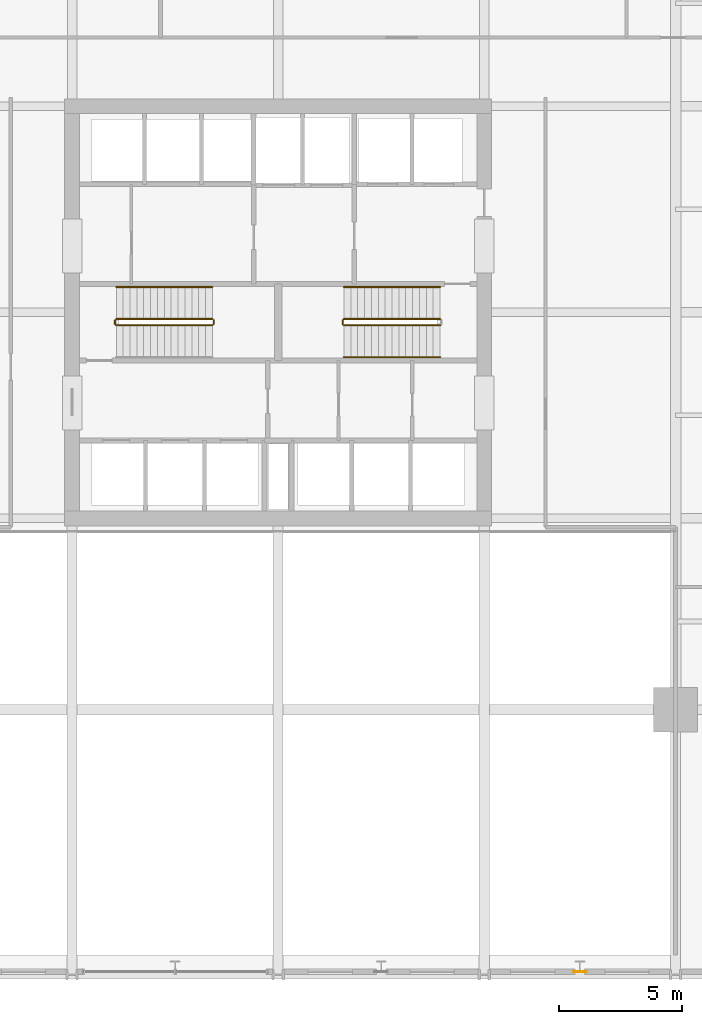
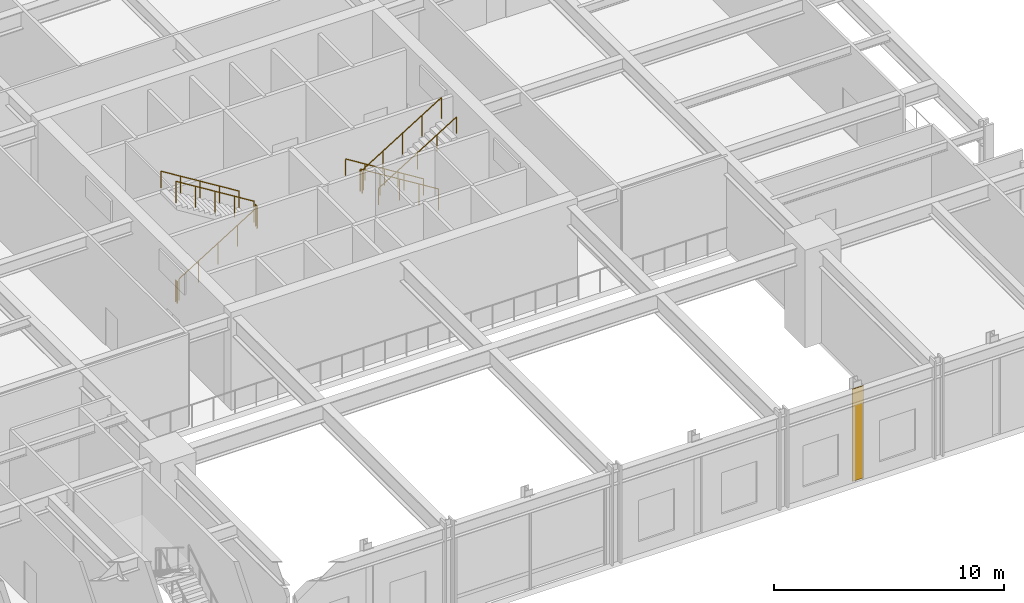
# One storey, part 16 of 19: 10 railings, 1 covering.
"""IFC4 building model written with IfcOpenShell, lengths in metres."""

from ifc_helpers import new_model, si_unit, direction, frame, origin, origin_2d, place, context, subcontext, project, spatial, rectangle, circle, extrude, material, layer, layer_set, type_object, element, save


model = new_model("IFC4")

# Units and contexts
model_context = context("Model", 3, precision=1e-05, world=origin(), true_north=direction((0.0, 1.0)))
body_context = subcontext(model_context, "Body", "Model", "MODEL_VIEW")
ifc_project = project(units=[si_unit("LENGTHUNIT", "METRE"), si_unit("AREAUNIT", "SQUARE_METRE"), si_unit("VOLUMEUNIT", "CUBIC_METRE"), si_unit("PLANEANGLEUNIT", "RADIAN"), si_unit("MASSUNIT", "GRAM", prefix="KILO")], contexts=[model_context])

# Site, building, storey
site_placement = place(None, origin())
site = spatial("IfcSite", under=ifc_project, at=site_placement, CompositionType="ELEMENT")
building_placement = place(site_placement, origin())
building = spatial("IfcBuilding", under=site, at=building_placement, Name="Drelvath Grand Hotel", CompositionType="ELEMENT")
storey_placement = place(building_placement, frame((0.0, 0.0, 17.199951171875)))
storey = spatial("IfcBuildingStorey", under=building, at=storey_placement, Name="L03", CompositionType="ELEMENT", Elevation=17.199951171875)

# Covering
ifc_material_1 = material(Name="Warm Bronze Anodised Aluminium Cladding", Category="aluminium")
ifc_layer = layer(ifc_material_1, 0.034912109375)
ifc_layer_set = layer_set([ifc_layer], Name="Warm Bronze Anodised Aluminium Cladding")
covering_type = type_object("IfcCoveringType", Name="Bronze Anodised Pier Cladding Panel 35", PredefinedType="CLADDING", material=ifc_layer_set)
covering_placement = place(storey_placement, frame((12.300048828125, 0.1201171875, 0.0), z_axis=(0.0, 0.0, 1.0), x_axis=(1.0, 0.0, 0.0)))
element("IfcCovering", 1, at=covering_placement, inside=storey, type_object=covering_type, Name="L03 Colonnade Bronze Pier Cladding S4", PredefinedType="CLADDING", context=body_context, shape_type="SweptSolid", body=[
    extrude(rectangle(XDim=0.550048828125, YDim=0.034912109375, at=origin_2d()), origin(), (0.0, 0.0, 1.0), 4.89990234375),
])

# Railings
ifc_material_2 = material(Name="Painted Steel S275", Category="steel")
railing_type_1 = type_object("IfcRailingType", Name="Core Stair Wall Handrail 900", PredefinedType="HANDRAIL", material=ifc_material_2)
railing_1_placement = place(storey_placement, frame((-2.679931640625, 28.030029296875, 2.7734375)))
element("IfcRailing", 2, at=railing_1_placement, inside=storey, type_object=railing_type_1, Name="L03 ST-1 stair handrail 2", PredefinedType="HANDRAIL", context=body_context, shape_type="SweptSolid", body=[
    extrude(circle(Radius=0.02392578125, at=origin_2d()), frame((0.0, 0.0, 0.8759765625), z_axis=(-0.850289973577, 0.0, 0.526314507528), x_axis=(0.0, -1.0, 0.0)), (0.0, 0.0, 1.0), 4.6103515625),
    extrude(circle(Radius=0.02099609375, at=origin_2d()), origin(), (0.0, 0.0, 1.0), 0.851806640625),
    extrude(circle(Radius=0.02099609375, at=origin_2d()), frame((-0.97998046875, 0.0, 0.606689453125)), (0.0, 0.0, 1.0), 0.851806640625),
    extrude(circle(Radius=0.02099609375, at=origin_2d()), frame((-1.9599609375, 0.0, 1.21337890625)), (0.0, 0.0, 1.0), 0.851806640625),
    extrude(circle(Radius=0.02099609375, at=origin_2d()), frame((-2.940185546875, 0.0, 1.81982421875)), (0.0, 0.0, 1.0), 0.851806640625),
    extrude(circle(Radius=0.02099609375, at=origin_2d()), frame((-3.920166015625, 0.0, 2.426513671875)), (0.0, 0.0, 1.0), 0.851806640625),
])
railing_2_placement = place(storey_placement, frame((6.60009765625, 28.030029296875, 0.17333984375)))
element("IfcRailing", 3, at=railing_2_placement, inside=storey, type_object=railing_type_1, Name="L03 ST-2 stair handrail 1", PredefinedType="HANDRAIL", context=body_context, shape_type="SweptSolid", body=[
    extrude(circle(Radius=0.02392578125, at=origin_2d()), frame((0.0, 0.0, 0.8759765625), z_axis=(-0.850266275192, 0.0, 0.526352791643), x_axis=(0.0, -1.0, 0.0)), (0.0, 0.0, 1.0), 4.610595703125),
    extrude(circle(Radius=0.02099609375, at=origin_2d()), origin(), (0.0, 0.0, 1.0), 0.851806640625),
    extrude(circle(Radius=0.02099609375, at=origin_2d()), frame((-0.97998046875, 0.0, 0.606689453125)), (0.0, 0.0, 1.0), 0.851806640625),
    extrude(circle(Radius=0.02099609375, at=origin_2d()), frame((-1.9599609375, 0.0, 1.21337890625)), (0.0, 0.0, 1.0), 0.851806640625),
    extrude(circle(Radius=0.02099609375, at=origin_2d()), frame((-2.940185546875, 0.0, 1.820068359375)), (0.0, 0.0, 1.0), 0.851806640625),
    extrude(circle(Radius=0.02099609375, at=origin_2d()), frame((-3.920166015625, 0.0, 2.4267578125)), (0.0, 0.0, 1.0), 0.851806640625),
])
railing_3_placement = place(storey_placement, frame((2.679931640625, 25.169921875, 2.7734375)))
element("IfcRailing", 4, at=railing_3_placement, inside=storey, type_object=railing_type_1, Name="L03 ST-2 stair handrail 2", PredefinedType="HANDRAIL", context=body_context, shape_type="SweptSolid", body=[
    extrude(circle(Radius=0.02392578125, at=origin_2d()), frame((0.0, 0.0, 0.8759765625), z_axis=(0.850289973577, 0.0, 0.526314507528), x_axis=(0.0, 1.0, 0.0)), (0.0, 0.0, 1.0), 4.6103515625),
    extrude(circle(Radius=0.02099609375, at=origin_2d()), origin(), (0.0, 0.0, 1.0), 0.851806640625),
    extrude(circle(Radius=0.02099609375, at=origin_2d()), frame((0.97998046875, 0.0, 0.606689453125)), (0.0, 0.0, 1.0), 0.851806640625),
    extrude(circle(Radius=0.02099609375, at=origin_2d()), frame((1.9599609375, 0.0, 1.21337890625)), (0.0, 0.0, 1.0), 0.851806640625),
    extrude(circle(Radius=0.02099609375, at=origin_2d()), frame((2.940185546875, 0.0, 1.81982421875)), (0.0, 0.0, 1.0), 0.851806640625),
    extrude(circle(Radius=0.02099609375, at=origin_2d()), frame((3.920166015625, 0.0, 2.426513671875)), (0.0, 0.0, 1.0), 0.851806640625),
])
railing_type_2 = type_object("IfcRailingType", Name="Core Stair Well Guardrail 1100", PredefinedType="GUARDRAIL", material=ifc_material_2)
railing_4_placement = place(storey_placement, frame((-6.60009765625, 26.469970703125, 0.17333984375)))
element("IfcRailing", 5, at=railing_4_placement, inside=storey, type_object=railing_type_2, Name="L03 ST-1 stair guard 1", PredefinedType="GUARDRAIL", context=body_context, shape_type="SweptSolid", body=[
    extrude(circle(Radius=0.02392578125, at=origin_2d()), frame((0.0, 0.0, 1.1259765625), z_axis=(0.850266275192, 0.0, 0.526352791643), x_axis=(0.0, 1.0, 0.0)), (0.0, 0.0, 1.0), 4.610595703125),
    extrude(circle(Radius=0.02099609375, at=origin_2d()), origin(), (0.0, 0.0, 1.0), 1.101806640625),
    extrude(circle(Radius=0.02099609375, at=origin_2d()), frame((0.97998046875, 0.0, 0.606689453125)), (0.0, 0.0, 1.0), 1.101806640625),
    extrude(circle(Radius=0.02099609375, at=origin_2d()), frame((1.9599609375, 0.0, 1.21337890625)), (0.0, 0.0, 1.0), 1.101806640625),
    extrude(circle(Radius=0.02099609375, at=origin_2d()), frame((2.940185546875, 0.0, 1.820068359375)), (0.0, 0.0, 1.0), 1.101806640625),
    extrude(circle(Radius=0.02099609375, at=origin_2d()), frame((3.920166015625, 0.0, 2.4267578125)), (0.0, 0.0, 1.0), 1.101806640625),
])
railing_5_placement = place(storey_placement, frame((-2.6298828125, 26.52001953125, 2.60009765625)))
element("IfcRailing", 6, at=railing_5_placement, inside=storey, type_object=railing_type_2, Name="L03 ST-1 stair guard 2", PredefinedType="GUARDRAIL", context=body_context, shape_type="SweptSolid", body=[
    extrude(circle(Radius=0.02392578125, at=origin_2d()), frame((0.0, 0.0, 1.1259765625), z_axis=(0.0, 1.0, 0.0), x_axis=(-1.0, 0.0, 0.0)), (0.0, 0.0, 1.0), 0.159912109375),
    extrude(circle(Radius=0.02099609375, at=origin_2d()), origin(), (0.0, 0.0, 1.0), 1.101806640625),
    extrude(circle(Radius=0.02099609375, at=origin_2d()), frame((0.0, 0.159912109375, 0.0)), (0.0, 0.0, 1.0), 1.101806640625),
])
railing_6_placement = place(storey_placement, frame((-2.679931640625, 26.72998046875, 2.7734375)))
element("IfcRailing", 7, at=railing_6_placement, inside=storey, type_object=railing_type_2, Name="L03 ST-1 stair guard 3", PredefinedType="GUARDRAIL", context=body_context, shape_type="SweptSolid", body=[
    extrude(circle(Radius=0.02392578125, at=origin_2d()), frame((0.0, 0.0, 1.1259765625), z_axis=(-0.850289973577, 0.0, 0.526314507528), x_axis=(0.0, -1.0, 0.0)), (0.0, 0.0, 1.0), 4.6103515625),
    extrude(circle(Radius=0.02099609375, at=origin_2d()), origin(), (0.0, 0.0, 1.0), 1.101806640625),
    extrude(circle(Radius=0.02099609375, at=origin_2d()), frame((-0.97998046875, 0.0, 0.606689453125)), (0.0, 0.0, 1.0), 1.101806640625),
    extrude(circle(Radius=0.02099609375, at=origin_2d()), frame((-1.9599609375, 0.0, 1.21337890625)), (0.0, 0.0, 1.0), 1.101806640625),
    extrude(circle(Radius=0.02099609375, at=origin_2d()), frame((-2.940185546875, 0.0, 1.81982421875)), (0.0, 0.0, 1.0), 1.101806640625),
    extrude(circle(Radius=0.02099609375, at=origin_2d()), frame((-3.920166015625, 0.0, 2.426513671875)), (0.0, 0.0, 1.0), 1.101806640625),
])
railing_7_placement = place(storey_placement, frame((-6.64990234375, 26.52001953125, 0.0)))
element("IfcRailing", 8, at=railing_7_placement, inside=storey, type_object=railing_type_2, Name="L03 ST-1 stair guard 4", PredefinedType="GUARDRAIL", context=body_context, shape_type="SweptSolid", body=[
    extrude(circle(Radius=0.02392578125, at=origin_2d()), frame((0.0, 0.0, 1.1259765625), z_axis=(0.0, 1.0, 0.0), x_axis=(-1.0, 0.0, 0.0)), (0.0, 0.0, 1.0), 0.159912109375),
    extrude(circle(Radius=0.02099609375, at=origin_2d()), origin(), (0.0, 0.0, 1.0), 1.101806640625),
    extrude(circle(Radius=0.02099609375, at=origin_2d()), frame((0.0, 0.159912109375, 0.0)), (0.0, 0.0, 1.0), 1.101806640625),
])
railing_8_placement = place(storey_placement, frame((6.60009765625, 26.72998046875, 0.17333984375)))
element("IfcRailing", 9, at=railing_8_placement, inside=storey, type_object=railing_type_2, Name="L03 ST-2 stair guard 1", PredefinedType="GUARDRAIL", context=body_context, shape_type="SweptSolid", body=[
    extrude(circle(Radius=0.02392578125, at=origin_2d()), frame((0.0, 0.0, 1.1259765625), z_axis=(-0.850266275192, 0.0, 0.526352791643), x_axis=(0.0, -1.0, 0.0)), (0.0, 0.0, 1.0), 4.610595703125),
    extrude(circle(Radius=0.02099609375, at=origin_2d()), origin(), (0.0, 0.0, 1.0), 1.101806640625),
    extrude(circle(Radius=0.02099609375, at=origin_2d()), frame((-0.97998046875, 0.0, 0.606689453125)), (0.0, 0.0, 1.0), 1.101806640625),
    extrude(circle(Radius=0.02099609375, at=origin_2d()), frame((-1.9599609375, 0.0, 1.21337890625)), (0.0, 0.0, 1.0), 1.101806640625),
    extrude(circle(Radius=0.02099609375, at=origin_2d()), frame((-2.940185546875, 0.0, 1.820068359375)), (0.0, 0.0, 1.0), 1.101806640625),
    extrude(circle(Radius=0.02099609375, at=origin_2d()), frame((-3.920166015625, 0.0, 2.4267578125)), (0.0, 0.0, 1.0), 1.101806640625),
])
railing_9_placement = place(storey_placement, frame((2.6298828125, 26.679931640625, 2.60009765625)))
element("IfcRailing", 10, at=railing_9_placement, inside=storey, type_object=railing_type_2, Name="L03 ST-2 stair guard 2", PredefinedType="GUARDRAIL", context=body_context, shape_type="SweptSolid", body=[
    extrude(circle(Radius=0.02392578125, at=origin_2d()), frame((0.0, 0.0, 1.1259765625), z_axis=(0.0, -1.0, 0.0), x_axis=(1.0, 0.0, 0.0)), (0.0, 0.0, 1.0), 0.159912109375),
    extrude(circle(Radius=0.02099609375, at=origin_2d()), origin(), (0.0, 0.0, 1.0), 1.101806640625),
    extrude(circle(Radius=0.02099609375, at=origin_2d()), frame((0.0, -0.159912109375, 0.0)), (0.0, 0.0, 1.0), 1.101806640625),
])
railing_10_placement = place(storey_placement, frame((2.679931640625, 26.469970703125, 2.7734375)))
element("IfcRailing", 11, at=railing_10_placement, inside=storey, type_object=railing_type_2, Name="L03 ST-2 stair guard 3", PredefinedType="GUARDRAIL", context=body_context, shape_type="SweptSolid", body=[
    extrude(circle(Radius=0.02392578125, at=origin_2d()), frame((0.0, 0.0, 1.1259765625), z_axis=(0.850289973577, 0.0, 0.526314507528), x_axis=(0.0, 1.0, 0.0)), (0.0, 0.0, 1.0), 4.6103515625),
    extrude(circle(Radius=0.02099609375, at=origin_2d()), origin(), (0.0, 0.0, 1.0), 1.101806640625),
    extrude(circle(Radius=0.02099609375, at=origin_2d()), frame((0.97998046875, 0.0, 0.606689453125)), (0.0, 0.0, 1.0), 1.101806640625),
    extrude(circle(Radius=0.02099609375, at=origin_2d()), frame((1.9599609375, 0.0, 1.21337890625)), (0.0, 0.0, 1.0), 1.101806640625),
    extrude(circle(Radius=0.02099609375, at=origin_2d()), frame((2.940185546875, 0.0, 1.81982421875)), (0.0, 0.0, 1.0), 1.101806640625),
    extrude(circle(Radius=0.02099609375, at=origin_2d()), frame((3.920166015625, 0.0, 2.426513671875)), (0.0, 0.0, 1.0), 1.101806640625),
])

save(model, "model.ifc")
